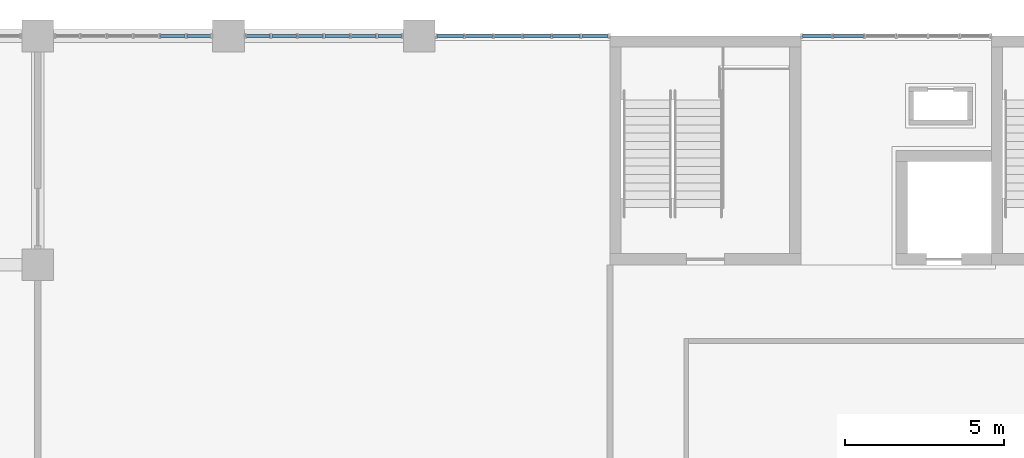
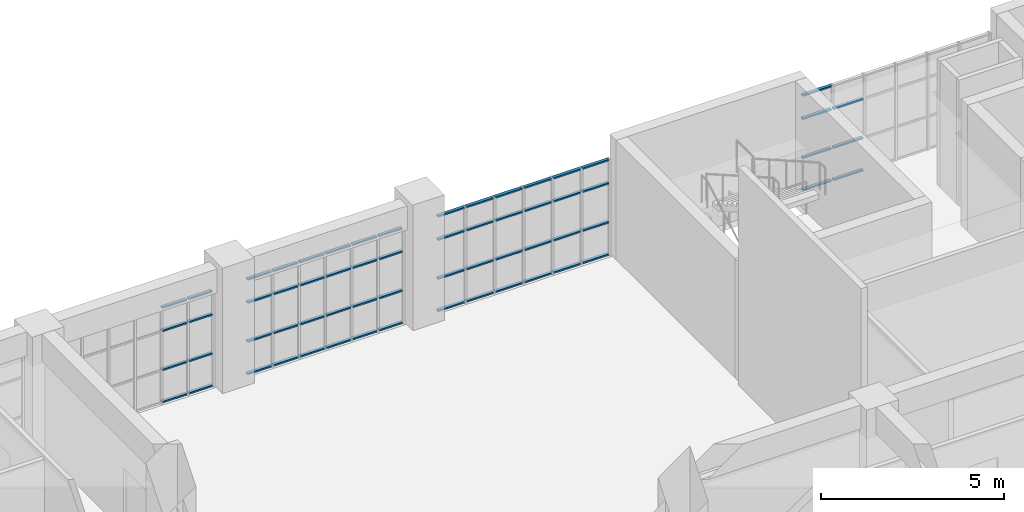
# One storey, part 52 of 92: 63 members, 4 elements without a shape of their own.
"""IFC4 building model written with IfcOpenShell, lengths in metres."""

from ifc_helpers import new_model, si_unit, direction, frame, origin, origin_2d, place, context, subcontext, project, spatial, hollow_rectangle, extrude, material, material_profile, profile_set, type_object, element, aggregate, save


model = new_model("IFC4")

# Units and contexts
model_context = context("Model", 3, precision=1e-05, world=origin(), true_north=direction((0.0, 1.0)))
body_context = subcontext(model_context, "Body", "Model", "MODEL_VIEW")
ifc_project = project(units=[si_unit("LENGTHUNIT", "METRE"), si_unit("AREAUNIT", "SQUARE_METRE"), si_unit("VOLUMEUNIT", "CUBIC_METRE"), si_unit("PLANEANGLEUNIT", "RADIAN"), si_unit("MASSUNIT", "GRAM", prefix="KILO")], contexts=[model_context])

# Site, building, storey
site_placement = place(None, origin())
site = spatial("IfcSite", under=ifc_project, at=site_placement, CompositionType="ELEMENT")
building_placement = place(site_placement, origin())
building = spatial("IfcBuilding", under=site, at=building_placement, Name="Laocheng Heights Fire and Rescue Headquarters", CompositionType="ELEMENT")
storey_placement = place(building_placement, frame((0.0, 0.0, 12.60009765625)))
storey = spatial("IfcBuildingStorey", under=building, at=storey_placement, Name="L03", CompositionType="ELEMENT", Elevation=12.60009765625)

# Curtain wall, members
ifc_material_1 = material(Name="Dark anodised aluminium unitised curtain wall, low-e double glazing", Category="aluminium")
curtain_wall_type_1 = type_object("IfcCurtainWallType", Name="CW 5000 x 3200 HQ CONTROL ROOM FACE", PredefinedType="NOTDEFINED", material=ifc_material_1)
curtain_wall_1_placement = place(storey_placement, origin())
curtain_wall_1 = element("IfcCurtainWall", 1, at=curtain_wall_1_placement, inside=storey, type_object=curtain_wall_type_1, Name="X21-X HQ NORTH L03", PredefinedType="NOTDEFINED")
ifc_material_2 = material(Name="Dark anodised aluminium 6063-T5 extrusion", Category="aluminium")
ifc_material_profile = material_profile(ifc_material_2, hollow_rectangle(XDim=0.10009765625, YDim=0.050048828125, WallThickness=0.0029296875, at=origin_2d()), Name="AL TRANSOM 100x50x3 HQ CONTROL ROOM FACE")
ifc_profile_set = profile_set([ifc_material_profile], Name="Dark anodised aluminium 6063-T5 extrusion")
member_type = type_object("IfcMemberType", Name="AL TRANSOM 100x50x3 HQ CONTROL ROOM FACE", PredefinedType="USERDEFINED", material=ifc_profile_set)
member_1_placement = place(storey_placement, frame((51.86328125, 72.0, 0.02490234375), z_axis=(1.0, 0.0, 0.0), x_axis=(0.0, 1.0, 0.0)))
member_1 = element("IfcMember", 2, at=member_1_placement, type_object=member_type, Name="X21-X transom 5.1", ObjectType="TRANSOM", PredefinedType="USERDEFINED", context=body_context, shape_type="SweptSolid", body=[
    extrude(hollow_rectangle(XDim=0.10009765625, YDim=0.050048828125, WallThickness=0.0029296875, at=origin_2d()), origin(), (0.0, 0.0, 1.0), 0.7734375),
])
member_2_placement = place(storey_placement, frame((51.86328125, 72.0, 1.099853515625), z_axis=(1.0, 0.0, 0.0), x_axis=(0.0, 1.0, 0.0)))
member_2 = element("IfcMember", 3, at=member_2_placement, type_object=member_type, Name="X21-X transom 5.2", ObjectType="TRANSOM", PredefinedType="USERDEFINED", context=body_context, shape_type="SweptSolid", body=[
    extrude(hollow_rectangle(XDim=0.10009765625, YDim=0.050048828125, WallThickness=0.0029296875, at=origin_2d()), origin(), (0.0, 0.0, 1.0), 0.7734375),
])
member_3_placement = place(storey_placement, frame((51.86328125, 72.0, 2.39990234375), z_axis=(1.0, 0.0, 0.0), x_axis=(0.0, 1.0, 0.0)))
member_3 = element("IfcMember", 4, at=member_3_placement, type_object=member_type, Name="X21-X transom 5.3", ObjectType="TRANSOM", PredefinedType="USERDEFINED", context=body_context, shape_type="SweptSolid", body=[
    extrude(hollow_rectangle(XDim=0.10009765625, YDim=0.050048828125, WallThickness=0.0029296875, at=origin_2d()), origin(), (0.0, 0.0, 1.0), 0.7734375),
])
member_4_placement = place(storey_placement, frame((51.86328125, 72.0, 3.1748046875), z_axis=(1.0, 0.0, 0.0), x_axis=(0.0, 1.0, 0.0)))
member_4 = element("IfcMember", 5, at=member_4_placement, type_object=member_type, Name="X21-X transom 5.4", ObjectType="TRANSOM", PredefinedType="USERDEFINED", context=body_context, shape_type="SweptSolid", body=[
    extrude(hollow_rectangle(XDim=0.10009765625, YDim=0.050048828125, WallThickness=0.0029296875, at=origin_2d()), origin(), (0.0, 0.0, 1.0), 0.7734375),
])
member_5_placement = place(storey_placement, frame((52.69677734375, 72.0, 0.02490234375), z_axis=(1.0, 0.0, 0.0), x_axis=(0.0, 1.0, 0.0)))
member_5 = element("IfcMember", 6, at=member_5_placement, type_object=member_type, Name="X21-X transom 6.1", ObjectType="TRANSOM", PredefinedType="USERDEFINED", context=body_context, shape_type="SweptSolid", body=[
    extrude(hollow_rectangle(XDim=0.10009765625, YDim=0.050048828125, WallThickness=0.0029296875, at=origin_2d()), origin(), (0.0, 0.0, 1.0), 0.7431640625),
])
member_6_placement = place(storey_placement, frame((52.69677734375, 72.0, 1.099853515625), z_axis=(1.0, 0.0, 0.0), x_axis=(0.0, 1.0, 0.0)))
member_6 = element("IfcMember", 7, at=member_6_placement, type_object=member_type, Name="X21-X transom 6.2", ObjectType="TRANSOM", PredefinedType="USERDEFINED", context=body_context, shape_type="SweptSolid", body=[
    extrude(hollow_rectangle(XDim=0.10009765625, YDim=0.050048828125, WallThickness=0.0029296875, at=origin_2d()), origin(), (0.0, 0.0, 1.0), 0.7431640625),
])
member_7_placement = place(storey_placement, frame((52.69677734375, 72.0, 2.39990234375), z_axis=(1.0, 0.0, 0.0), x_axis=(0.0, 1.0, 0.0)))
member_7 = element("IfcMember", 8, at=member_7_placement, type_object=member_type, Name="X21-X transom 6.3", ObjectType="TRANSOM", PredefinedType="USERDEFINED", context=body_context, shape_type="SweptSolid", body=[
    extrude(hollow_rectangle(XDim=0.10009765625, YDim=0.050048828125, WallThickness=0.0029296875, at=origin_2d()), origin(), (0.0, 0.0, 1.0), 0.7431640625),
])
member_8_placement = place(storey_placement, frame((52.69677734375, 72.0, 3.1748046875), z_axis=(1.0, 0.0, 0.0), x_axis=(0.0, 1.0, 0.0)))
member_8 = element("IfcMember", 9, at=member_8_placement, type_object=member_type, Name="X21-X transom 6.4", ObjectType="TRANSOM", PredefinedType="USERDEFINED", context=body_context, shape_type="SweptSolid", body=[
    extrude(hollow_rectangle(XDim=0.10009765625, YDim=0.050048828125, WallThickness=0.0029296875, at=origin_2d()), origin(), (0.0, 0.0, 1.0), 0.7431640625),
])
aggregate(curtain_wall_1, [member_1, member_2, member_3, member_4, member_5, member_6, member_7, member_8])

curtain_wall_2_placement = place(storey_placement, origin())
curtain_wall_2 = element("IfcCurtainWall", 10, at=curtain_wall_2_placement, inside=storey, type_object=curtain_wall_type_1, Name="X21-X HQ NORTH L03", PredefinedType="NOTDEFINED")
member_9_placement = place(storey_placement, frame((54.56005859375, 72.0, 0.02490234375), z_axis=(1.0, 0.0, 0.0), x_axis=(0.0, 1.0, 0.0)))
member_9 = element("IfcMember", 11, at=member_9_placement, type_object=member_type, Name="X21-X transom 1.1", ObjectType="TRANSOM", PredefinedType="USERDEFINED", context=body_context, shape_type="SweptSolid", body=[
    extrude(hollow_rectangle(XDim=0.10009765625, YDim=0.050048828125, WallThickness=0.0029296875, at=origin_2d()), origin(), (0.0, 0.0, 1.0), 0.7431640625),
])
member_10_placement = place(storey_placement, frame((54.56005859375, 72.0, 1.099853515625), z_axis=(1.0, 0.0, 0.0), x_axis=(0.0, 1.0, 0.0)))
member_10 = element("IfcMember", 12, at=member_10_placement, type_object=member_type, Name="X21-X transom 1.2", ObjectType="TRANSOM", PredefinedType="USERDEFINED", context=body_context, shape_type="SweptSolid", body=[
    extrude(hollow_rectangle(XDim=0.10009765625, YDim=0.050048828125, WallThickness=0.0029296875, at=origin_2d()), origin(), (0.0, 0.0, 1.0), 0.7431640625),
])
member_11_placement = place(storey_placement, frame((54.56005859375, 72.0, 2.39990234375), z_axis=(1.0, 0.0, 0.0), x_axis=(0.0, 1.0, 0.0)))
member_11 = element("IfcMember", 13, at=member_11_placement, type_object=member_type, Name="X21-X transom 1.3", ObjectType="TRANSOM", PredefinedType="USERDEFINED", context=body_context, shape_type="SweptSolid", body=[
    extrude(hollow_rectangle(XDim=0.10009765625, YDim=0.050048828125, WallThickness=0.0029296875, at=origin_2d()), origin(), (0.0, 0.0, 1.0), 0.7431640625),
])
member_12_placement = place(storey_placement, frame((54.56005859375, 72.0, 3.1748046875), z_axis=(1.0, 0.0, 0.0), x_axis=(0.0, 1.0, 0.0)))
member_12 = element("IfcMember", 14, at=member_12_placement, type_object=member_type, Name="X21-X transom 1.4", ObjectType="TRANSOM", PredefinedType="USERDEFINED", context=body_context, shape_type="SweptSolid", body=[
    extrude(hollow_rectangle(XDim=0.10009765625, YDim=0.050048828125, WallThickness=0.0029296875, at=origin_2d()), origin(), (0.0, 0.0, 1.0), 0.7431640625),
])
member_13_placement = place(storey_placement, frame((55.36328125, 72.0, 0.02490234375), z_axis=(1.0, 0.0, 0.0), x_axis=(0.0, 1.0, 0.0)))
member_13 = element("IfcMember", 15, at=member_13_placement, type_object=member_type, Name="X21-X transom 2.1", ObjectType="TRANSOM", PredefinedType="USERDEFINED", context=body_context, shape_type="SweptSolid", body=[
    extrude(hollow_rectangle(XDim=0.10009765625, YDim=0.050048828125, WallThickness=0.0029296875, at=origin_2d()), origin(), (0.0, 0.0, 1.0), 0.7734375),
])
member_14_placement = place(storey_placement, frame((55.36328125, 72.0, 1.099853515625), z_axis=(1.0, 0.0, 0.0), x_axis=(0.0, 1.0, 0.0)))
member_14 = element("IfcMember", 16, at=member_14_placement, type_object=member_type, Name="X21-X transom 2.2", ObjectType="TRANSOM", PredefinedType="USERDEFINED", context=body_context, shape_type="SweptSolid", body=[
    extrude(hollow_rectangle(XDim=0.10009765625, YDim=0.050048828125, WallThickness=0.0029296875, at=origin_2d()), origin(), (0.0, 0.0, 1.0), 0.7734375),
])
member_15_placement = place(storey_placement, frame((55.36328125, 72.0, 2.39990234375), z_axis=(1.0, 0.0, 0.0), x_axis=(0.0, 1.0, 0.0)))
member_15 = element("IfcMember", 17, at=member_15_placement, type_object=member_type, Name="X21-X transom 2.3", ObjectType="TRANSOM", PredefinedType="USERDEFINED", context=body_context, shape_type="SweptSolid", body=[
    extrude(hollow_rectangle(XDim=0.10009765625, YDim=0.050048828125, WallThickness=0.0029296875, at=origin_2d()), origin(), (0.0, 0.0, 1.0), 0.7734375),
])
member_16_placement = place(storey_placement, frame((55.36328125, 72.0, 3.1748046875), z_axis=(1.0, 0.0, 0.0), x_axis=(0.0, 1.0, 0.0)))
member_16 = element("IfcMember", 18, at=member_16_placement, type_object=member_type, Name="X21-X transom 2.4", ObjectType="TRANSOM", PredefinedType="USERDEFINED", context=body_context, shape_type="SweptSolid", body=[
    extrude(hollow_rectangle(XDim=0.10009765625, YDim=0.050048828125, WallThickness=0.0029296875, at=origin_2d()), origin(), (0.0, 0.0, 1.0), 0.7734375),
])
member_17_placement = place(storey_placement, frame((56.19677734375, 72.0, 0.02490234375), z_axis=(1.0, 0.0, 0.0), x_axis=(0.0, 1.0, 0.0)))
member_17 = element("IfcMember", 19, at=member_17_placement, type_object=member_type, Name="X21-X transom 3.1", ObjectType="TRANSOM", PredefinedType="USERDEFINED", context=body_context, shape_type="SweptSolid", body=[
    extrude(hollow_rectangle(XDim=0.10009765625, YDim=0.050048828125, WallThickness=0.0029296875, at=origin_2d()), origin(), (0.0, 0.0, 1.0), 0.773193359375),
])
member_18_placement = place(storey_placement, frame((56.19677734375, 72.0, 1.099853515625), z_axis=(1.0, 0.0, 0.0), x_axis=(0.0, 1.0, 0.0)))
member_18 = element("IfcMember", 20, at=member_18_placement, type_object=member_type, Name="X21-X transom 3.2", ObjectType="TRANSOM", PredefinedType="USERDEFINED", context=body_context, shape_type="SweptSolid", body=[
    extrude(hollow_rectangle(XDim=0.10009765625, YDim=0.050048828125, WallThickness=0.0029296875, at=origin_2d()), origin(), (0.0, 0.0, 1.0), 0.773193359375),
])
member_19_placement = place(storey_placement, frame((56.19677734375, 72.0, 2.39990234375), z_axis=(1.0, 0.0, 0.0), x_axis=(0.0, 1.0, 0.0)))
member_19 = element("IfcMember", 21, at=member_19_placement, type_object=member_type, Name="X21-X transom 3.3", ObjectType="TRANSOM", PredefinedType="USERDEFINED", context=body_context, shape_type="SweptSolid", body=[
    extrude(hollow_rectangle(XDim=0.10009765625, YDim=0.050048828125, WallThickness=0.0029296875, at=origin_2d()), origin(), (0.0, 0.0, 1.0), 0.773193359375),
])
member_20_placement = place(storey_placement, frame((56.19677734375, 72.0, 3.1748046875), z_axis=(1.0, 0.0, 0.0), x_axis=(0.0, 1.0, 0.0)))
member_20 = element("IfcMember", 22, at=member_20_placement, type_object=member_type, Name="X21-X transom 3.4", ObjectType="TRANSOM", PredefinedType="USERDEFINED", context=body_context, shape_type="SweptSolid", body=[
    extrude(hollow_rectangle(XDim=0.10009765625, YDim=0.050048828125, WallThickness=0.0029296875, at=origin_2d()), origin(), (0.0, 0.0, 1.0), 0.773193359375),
])
member_21_placement = place(storey_placement, frame((57.030029296875, 72.0, 0.02490234375), z_axis=(1.0, 0.0, 0.0), x_axis=(0.0, 1.0, 0.0)))
member_21 = element("IfcMember", 23, at=member_21_placement, type_object=member_type, Name="X21-X transom 4.1", ObjectType="TRANSOM", PredefinedType="USERDEFINED", context=body_context, shape_type="SweptSolid", body=[
    extrude(hollow_rectangle(XDim=0.10009765625, YDim=0.050048828125, WallThickness=0.0029296875, at=origin_2d()), origin(), (0.0, 0.0, 1.0), 0.773193359375),
])
member_22_placement = place(storey_placement, frame((57.030029296875, 72.0, 1.099853515625), z_axis=(1.0, 0.0, 0.0), x_axis=(0.0, 1.0, 0.0)))
member_22 = element("IfcMember", 24, at=member_22_placement, type_object=member_type, Name="X21-X transom 4.2", ObjectType="TRANSOM", PredefinedType="USERDEFINED", context=body_context, shape_type="SweptSolid", body=[
    extrude(hollow_rectangle(XDim=0.10009765625, YDim=0.050048828125, WallThickness=0.0029296875, at=origin_2d()), origin(), (0.0, 0.0, 1.0), 0.773193359375),
])
member_23_placement = place(storey_placement, frame((57.030029296875, 72.0, 2.39990234375), z_axis=(1.0, 0.0, 0.0), x_axis=(0.0, 1.0, 0.0)))
member_23 = element("IfcMember", 25, at=member_23_placement, type_object=member_type, Name="X21-X transom 4.3", ObjectType="TRANSOM", PredefinedType="USERDEFINED", context=body_context, shape_type="SweptSolid", body=[
    extrude(hollow_rectangle(XDim=0.10009765625, YDim=0.050048828125, WallThickness=0.0029296875, at=origin_2d()), origin(), (0.0, 0.0, 1.0), 0.773193359375),
])
member_24_placement = place(storey_placement, frame((57.030029296875, 72.0, 3.1748046875), z_axis=(1.0, 0.0, 0.0), x_axis=(0.0, 1.0, 0.0)))
member_24 = element("IfcMember", 26, at=member_24_placement, type_object=member_type, Name="X21-X transom 4.4", ObjectType="TRANSOM", PredefinedType="USERDEFINED", context=body_context, shape_type="SweptSolid", body=[
    extrude(hollow_rectangle(XDim=0.10009765625, YDim=0.050048828125, WallThickness=0.0029296875, at=origin_2d()), origin(), (0.0, 0.0, 1.0), 0.773193359375),
])
member_25_placement = place(storey_placement, frame((57.86328125, 72.0, 0.02490234375), z_axis=(1.0, 0.0, 0.0), x_axis=(0.0, 1.0, 0.0)))
member_25 = element("IfcMember", 27, at=member_25_placement, type_object=member_type, Name="X21-X transom 5.1", ObjectType="TRANSOM", PredefinedType="USERDEFINED", context=body_context, shape_type="SweptSolid", body=[
    extrude(hollow_rectangle(XDim=0.10009765625, YDim=0.050048828125, WallThickness=0.0029296875, at=origin_2d()), origin(), (0.0, 0.0, 1.0), 0.7734375),
])
member_26_placement = place(storey_placement, frame((57.86328125, 72.0, 1.099853515625), z_axis=(1.0, 0.0, 0.0), x_axis=(0.0, 1.0, 0.0)))
member_26 = element("IfcMember", 28, at=member_26_placement, type_object=member_type, Name="X21-X transom 5.2", ObjectType="TRANSOM", PredefinedType="USERDEFINED", context=body_context, shape_type="SweptSolid", body=[
    extrude(hollow_rectangle(XDim=0.10009765625, YDim=0.050048828125, WallThickness=0.0029296875, at=origin_2d()), origin(), (0.0, 0.0, 1.0), 0.7734375),
])
member_27_placement = place(storey_placement, frame((57.86328125, 72.0, 2.39990234375), z_axis=(1.0, 0.0, 0.0), x_axis=(0.0, 1.0, 0.0)))
member_27 = element("IfcMember", 29, at=member_27_placement, type_object=member_type, Name="X21-X transom 5.3", ObjectType="TRANSOM", PredefinedType="USERDEFINED", context=body_context, shape_type="SweptSolid", body=[
    extrude(hollow_rectangle(XDim=0.10009765625, YDim=0.050048828125, WallThickness=0.0029296875, at=origin_2d()), origin(), (0.0, 0.0, 1.0), 0.7734375),
])
member_28_placement = place(storey_placement, frame((57.86328125, 72.0, 3.1748046875), z_axis=(1.0, 0.0, 0.0), x_axis=(0.0, 1.0, 0.0)))
member_28 = element("IfcMember", 30, at=member_28_placement, type_object=member_type, Name="X21-X transom 5.4", ObjectType="TRANSOM", PredefinedType="USERDEFINED", context=body_context, shape_type="SweptSolid", body=[
    extrude(hollow_rectangle(XDim=0.10009765625, YDim=0.050048828125, WallThickness=0.0029296875, at=origin_2d()), origin(), (0.0, 0.0, 1.0), 0.7734375),
])
member_29_placement = place(storey_placement, frame((58.69677734375, 72.0, 0.02490234375), z_axis=(1.0, 0.0, 0.0), x_axis=(0.0, 1.0, 0.0)))
member_29 = element("IfcMember", 31, at=member_29_placement, type_object=member_type, Name="X21-X transom 6.1", ObjectType="TRANSOM", PredefinedType="USERDEFINED", context=body_context, shape_type="SweptSolid", body=[
    extrude(hollow_rectangle(XDim=0.10009765625, YDim=0.050048828125, WallThickness=0.0029296875, at=origin_2d()), origin(), (0.0, 0.0, 1.0), 0.7431640625),
])
member_30_placement = place(storey_placement, frame((58.69677734375, 72.0, 1.099853515625), z_axis=(1.0, 0.0, 0.0), x_axis=(0.0, 1.0, 0.0)))
member_30 = element("IfcMember", 32, at=member_30_placement, type_object=member_type, Name="X21-X transom 6.2", ObjectType="TRANSOM", PredefinedType="USERDEFINED", context=body_context, shape_type="SweptSolid", body=[
    extrude(hollow_rectangle(XDim=0.10009765625, YDim=0.050048828125, WallThickness=0.0029296875, at=origin_2d()), origin(), (0.0, 0.0, 1.0), 0.7431640625),
])
member_31_placement = place(storey_placement, frame((58.69677734375, 72.0, 2.39990234375), z_axis=(1.0, 0.0, 0.0), x_axis=(0.0, 1.0, 0.0)))
member_31 = element("IfcMember", 33, at=member_31_placement, type_object=member_type, Name="X21-X transom 6.3", ObjectType="TRANSOM", PredefinedType="USERDEFINED", context=body_context, shape_type="SweptSolid", body=[
    extrude(hollow_rectangle(XDim=0.10009765625, YDim=0.050048828125, WallThickness=0.0029296875, at=origin_2d()), origin(), (0.0, 0.0, 1.0), 0.7431640625),
])
member_32_placement = place(storey_placement, frame((58.69677734375, 72.0, 3.1748046875), z_axis=(1.0, 0.0, 0.0), x_axis=(0.0, 1.0, 0.0)))
member_32 = element("IfcMember", 34, at=member_32_placement, type_object=member_type, Name="X21-X transom 6.4", ObjectType="TRANSOM", PredefinedType="USERDEFINED", context=body_context, shape_type="SweptSolid", body=[
    extrude(hollow_rectangle(XDim=0.10009765625, YDim=0.050048828125, WallThickness=0.0029296875, at=origin_2d()), origin(), (0.0, 0.0, 1.0), 0.7431640625),
])
aggregate(curtain_wall_2, [member_9, member_10, member_11, member_12, member_13, member_14, member_15, member_16, member_17, member_18, member_19, member_20, member_21, member_22, member_23, member_24, member_25, member_26, member_27, member_28, member_29, member_30, member_31, member_32])

ifc_material_3 = material(Name="Dark anodised aluminium unitised curtain wall, low-e double glazing", Category="aluminium")
curtain_wall_type_2 = type_object("IfcCurtainWallType", Name="CW 5500 x 3200 HQ CONTROL ROOM FACE", PredefinedType="NOTDEFINED", material=ifc_material_3)
curtain_wall_3_placement = place(storey_placement, origin())
curtain_wall_3 = element("IfcCurtainWall", 35, at=curtain_wall_3_placement, inside=storey, type_object=curtain_wall_type_2, Name="X22-X HQ NORTH L03", PredefinedType="NOTDEFINED")
member_33_placement = place(storey_placement, frame((60.56005859375, 72.0, 0.02490234375), z_axis=(1.0, 0.0, 0.0), x_axis=(0.0, 1.0, 0.0)))
member_33 = element("IfcMember", 36, at=member_33_placement, type_object=member_type, Name="X22-X transom 1.1", ObjectType="TRANSOM", PredefinedType="USERDEFINED", context=body_context, shape_type="SweptSolid", body=[
    extrude(hollow_rectangle(XDim=0.10009765625, YDim=0.050048828125, WallThickness=0.0029296875, at=origin_2d()), origin(), (0.0, 0.0, 1.0), 0.82666015625),
])
member_34_placement = place(storey_placement, frame((60.56005859375, 72.0, 1.099853515625), z_axis=(1.0, 0.0, 0.0), x_axis=(0.0, 1.0, 0.0)))
member_34 = element("IfcMember", 37, at=member_34_placement, type_object=member_type, Name="X22-X transom 1.2", ObjectType="TRANSOM", PredefinedType="USERDEFINED", context=body_context, shape_type="SweptSolid", body=[
    extrude(hollow_rectangle(XDim=0.10009765625, YDim=0.050048828125, WallThickness=0.0029296875, at=origin_2d()), origin(), (0.0, 0.0, 1.0), 0.82666015625),
])
member_35_placement = place(storey_placement, frame((60.56005859375, 72.0, 2.39990234375), z_axis=(1.0, 0.0, 0.0), x_axis=(0.0, 1.0, 0.0)))
member_35 = element("IfcMember", 38, at=member_35_placement, type_object=member_type, Name="X22-X transom 1.3", ObjectType="TRANSOM", PredefinedType="USERDEFINED", context=body_context, shape_type="SweptSolid", body=[
    extrude(hollow_rectangle(XDim=0.10009765625, YDim=0.050048828125, WallThickness=0.0029296875, at=origin_2d()), origin(), (0.0, 0.0, 1.0), 0.82666015625),
])
member_36_placement = place(storey_placement, frame((60.56005859375, 72.0, 3.1748046875), z_axis=(1.0, 0.0, 0.0), x_axis=(0.0, 1.0, 0.0)))
member_36 = element("IfcMember", 39, at=member_36_placement, type_object=member_type, Name="X22-X transom 1.4", ObjectType="TRANSOM", PredefinedType="USERDEFINED", context=body_context, shape_type="SweptSolid", body=[
    extrude(hollow_rectangle(XDim=0.10009765625, YDim=0.050048828125, WallThickness=0.0029296875, at=origin_2d()), origin(), (0.0, 0.0, 1.0), 0.82666015625),
])
member_37_placement = place(storey_placement, frame((61.44677734375, 72.0, 0.02490234375), z_axis=(1.0, 0.0, 0.0), x_axis=(0.0, 1.0, 0.0)))
member_37 = element("IfcMember", 40, at=member_37_placement, type_object=member_type, Name="X22-X transom 2.1", ObjectType="TRANSOM", PredefinedType="USERDEFINED", context=body_context, shape_type="SweptSolid", body=[
    extrude(hollow_rectangle(XDim=0.10009765625, YDim=0.050048828125, WallThickness=0.0029296875, at=origin_2d()), origin(), (0.0, 0.0, 1.0), 0.8564453125),
])
member_38_placement = place(storey_placement, frame((61.44677734375, 72.0, 1.099853515625), z_axis=(1.0, 0.0, 0.0), x_axis=(0.0, 1.0, 0.0)))
member_38 = element("IfcMember", 41, at=member_38_placement, type_object=member_type, Name="X22-X transom 2.2", ObjectType="TRANSOM", PredefinedType="USERDEFINED", context=body_context, shape_type="SweptSolid", body=[
    extrude(hollow_rectangle(XDim=0.10009765625, YDim=0.050048828125, WallThickness=0.0029296875, at=origin_2d()), origin(), (0.0, 0.0, 1.0), 0.8564453125),
])
member_39_placement = place(storey_placement, frame((61.44677734375, 72.0, 2.39990234375), z_axis=(1.0, 0.0, 0.0), x_axis=(0.0, 1.0, 0.0)))
member_39 = element("IfcMember", 42, at=member_39_placement, type_object=member_type, Name="X22-X transom 2.3", ObjectType="TRANSOM", PredefinedType="USERDEFINED", context=body_context, shape_type="SweptSolid", body=[
    extrude(hollow_rectangle(XDim=0.10009765625, YDim=0.050048828125, WallThickness=0.0029296875, at=origin_2d()), origin(), (0.0, 0.0, 1.0), 0.8564453125),
])
member_40_placement = place(storey_placement, frame((61.44677734375, 72.0, 3.1748046875), z_axis=(1.0, 0.0, 0.0), x_axis=(0.0, 1.0, 0.0)))
member_40 = element("IfcMember", 43, at=member_40_placement, type_object=member_type, Name="X22-X transom 2.4", ObjectType="TRANSOM", PredefinedType="USERDEFINED", context=body_context, shape_type="SweptSolid", body=[
    extrude(hollow_rectangle(XDim=0.10009765625, YDim=0.050048828125, WallThickness=0.0029296875, at=origin_2d()), origin(), (0.0, 0.0, 1.0), 0.8564453125),
])
member_41_placement = place(storey_placement, frame((62.36328125, 72.0, 0.02490234375), z_axis=(1.0, 0.0, 0.0), x_axis=(0.0, 1.0, 0.0)))
member_41 = element("IfcMember", 44, at=member_41_placement, type_object=member_type, Name="X22-X transom 3.1", ObjectType="TRANSOM", PredefinedType="USERDEFINED", context=body_context, shape_type="SweptSolid", body=[
    extrude(hollow_rectangle(XDim=0.10009765625, YDim=0.050048828125, WallThickness=0.0029296875, at=origin_2d()), origin(), (0.0, 0.0, 1.0), 0.856689453125),
])
member_42_placement = place(storey_placement, frame((62.36328125, 72.0, 1.099853515625), z_axis=(1.0, 0.0, 0.0), x_axis=(0.0, 1.0, 0.0)))
member_42 = element("IfcMember", 45, at=member_42_placement, type_object=member_type, Name="X22-X transom 3.2", ObjectType="TRANSOM", PredefinedType="USERDEFINED", context=body_context, shape_type="SweptSolid", body=[
    extrude(hollow_rectangle(XDim=0.10009765625, YDim=0.050048828125, WallThickness=0.0029296875, at=origin_2d()), origin(), (0.0, 0.0, 1.0), 0.856689453125),
])
member_43_placement = place(storey_placement, frame((62.36328125, 72.0, 2.39990234375), z_axis=(1.0, 0.0, 0.0), x_axis=(0.0, 1.0, 0.0)))
member_43 = element("IfcMember", 46, at=member_43_placement, type_object=member_type, Name="X22-X transom 3.3", ObjectType="TRANSOM", PredefinedType="USERDEFINED", context=body_context, shape_type="SweptSolid", body=[
    extrude(hollow_rectangle(XDim=0.10009765625, YDim=0.050048828125, WallThickness=0.0029296875, at=origin_2d()), origin(), (0.0, 0.0, 1.0), 0.856689453125),
])
member_44_placement = place(storey_placement, frame((62.36328125, 72.0, 3.1748046875), z_axis=(1.0, 0.0, 0.0), x_axis=(0.0, 1.0, 0.0)))
member_44 = element("IfcMember", 47, at=member_44_placement, type_object=member_type, Name="X22-X transom 3.4", ObjectType="TRANSOM", PredefinedType="USERDEFINED", context=body_context, shape_type="SweptSolid", body=[
    extrude(hollow_rectangle(XDim=0.10009765625, YDim=0.050048828125, WallThickness=0.0029296875, at=origin_2d()), origin(), (0.0, 0.0, 1.0), 0.856689453125),
])
member_45_placement = place(storey_placement, frame((63.280029296875, 72.0, 0.02490234375), z_axis=(1.0, 0.0, 0.0), x_axis=(0.0, 1.0, 0.0)))
member_45 = element("IfcMember", 48, at=member_45_placement, type_object=member_type, Name="X22-X transom 4.1", ObjectType="TRANSOM", PredefinedType="USERDEFINED", context=body_context, shape_type="SweptSolid", body=[
    extrude(hollow_rectangle(XDim=0.10009765625, YDim=0.050048828125, WallThickness=0.0029296875, at=origin_2d()), origin(), (0.0, 0.0, 1.0), 0.856689453125),
])
member_46_placement = place(storey_placement, frame((63.280029296875, 72.0, 1.099853515625), z_axis=(1.0, 0.0, 0.0), x_axis=(0.0, 1.0, 0.0)))
member_46 = element("IfcMember", 49, at=member_46_placement, type_object=member_type, Name="X22-X transom 4.2", ObjectType="TRANSOM", PredefinedType="USERDEFINED", context=body_context, shape_type="SweptSolid", body=[
    extrude(hollow_rectangle(XDim=0.10009765625, YDim=0.050048828125, WallThickness=0.0029296875, at=origin_2d()), origin(), (0.0, 0.0, 1.0), 0.856689453125),
])
member_47_placement = place(storey_placement, frame((63.280029296875, 72.0, 2.39990234375), z_axis=(1.0, 0.0, 0.0), x_axis=(0.0, 1.0, 0.0)))
member_47 = element("IfcMember", 50, at=member_47_placement, type_object=member_type, Name="X22-X transom 4.3", ObjectType="TRANSOM", PredefinedType="USERDEFINED", context=body_context, shape_type="SweptSolid", body=[
    extrude(hollow_rectangle(XDim=0.10009765625, YDim=0.050048828125, WallThickness=0.0029296875, at=origin_2d()), origin(), (0.0, 0.0, 1.0), 0.856689453125),
])
member_48_placement = place(storey_placement, frame((63.280029296875, 72.0, 3.1748046875), z_axis=(1.0, 0.0, 0.0), x_axis=(0.0, 1.0, 0.0)))
member_48 = element("IfcMember", 51, at=member_48_placement, type_object=member_type, Name="X22-X transom 4.4", ObjectType="TRANSOM", PredefinedType="USERDEFINED", context=body_context, shape_type="SweptSolid", body=[
    extrude(hollow_rectangle(XDim=0.10009765625, YDim=0.050048828125, WallThickness=0.0029296875, at=origin_2d()), origin(), (0.0, 0.0, 1.0), 0.856689453125),
])
member_49_placement = place(storey_placement, frame((64.19677734375, 72.0, 0.02490234375), z_axis=(1.0, 0.0, 0.0), x_axis=(0.0, 1.0, 0.0)))
member_49 = element("IfcMember", 52, at=member_49_placement, type_object=member_type, Name="X22-X transom 5.1", ObjectType="TRANSOM", PredefinedType="USERDEFINED", context=body_context, shape_type="SweptSolid", body=[
    extrude(hollow_rectangle(XDim=0.10009765625, YDim=0.050048828125, WallThickness=0.0029296875, at=origin_2d()), origin(), (0.0, 0.0, 1.0), 0.8564453125),
])
member_50_placement = place(storey_placement, frame((64.19677734375, 72.0, 1.099853515625), z_axis=(1.0, 0.0, 0.0), x_axis=(0.0, 1.0, 0.0)))
member_50 = element("IfcMember", 53, at=member_50_placement, type_object=member_type, Name="X22-X transom 5.2", ObjectType="TRANSOM", PredefinedType="USERDEFINED", context=body_context, shape_type="SweptSolid", body=[
    extrude(hollow_rectangle(XDim=0.10009765625, YDim=0.050048828125, WallThickness=0.0029296875, at=origin_2d()), origin(), (0.0, 0.0, 1.0), 0.8564453125),
])
member_51_placement = place(storey_placement, frame((64.19677734375, 72.0, 2.39990234375), z_axis=(1.0, 0.0, 0.0), x_axis=(0.0, 1.0, 0.0)))
member_51 = element("IfcMember", 54, at=member_51_placement, type_object=member_type, Name="X22-X transom 5.3", ObjectType="TRANSOM", PredefinedType="USERDEFINED", context=body_context, shape_type="SweptSolid", body=[
    extrude(hollow_rectangle(XDim=0.10009765625, YDim=0.050048828125, WallThickness=0.0029296875, at=origin_2d()), origin(), (0.0, 0.0, 1.0), 0.8564453125),
])
member_52_placement = place(storey_placement, frame((64.19677734375, 72.0, 3.1748046875), z_axis=(1.0, 0.0, 0.0), x_axis=(0.0, 1.0, 0.0)))
member_52 = element("IfcMember", 55, at=member_52_placement, type_object=member_type, Name="X22-X transom 5.4", ObjectType="TRANSOM", PredefinedType="USERDEFINED", context=body_context, shape_type="SweptSolid", body=[
    extrude(hollow_rectangle(XDim=0.10009765625, YDim=0.050048828125, WallThickness=0.0029296875, at=origin_2d()), origin(), (0.0, 0.0, 1.0), 0.8564453125),
])
member_53_placement = place(storey_placement, frame((65.11328125, 72.0, 0.02490234375), z_axis=(1.0, 0.0, 0.0), x_axis=(0.0, 1.0, 0.0)))
member_53 = element("IfcMember", 56, at=member_53_placement, type_object=member_type, Name="X22-X transom 6.1", ObjectType="TRANSOM", PredefinedType="USERDEFINED", context=body_context, shape_type="SweptSolid", body=[
    extrude(hollow_rectangle(XDim=0.10009765625, YDim=0.050048828125, WallThickness=0.0029296875, at=origin_2d()), origin(), (0.0, 0.0, 1.0), 0.82666015625),
])
member_54_placement = place(storey_placement, frame((65.11328125, 72.0, 1.099853515625), z_axis=(1.0, 0.0, 0.0), x_axis=(0.0, 1.0, 0.0)))
member_54 = element("IfcMember", 57, at=member_54_placement, type_object=member_type, Name="X22-X transom 6.2", ObjectType="TRANSOM", PredefinedType="USERDEFINED", context=body_context, shape_type="SweptSolid", body=[
    extrude(hollow_rectangle(XDim=0.10009765625, YDim=0.050048828125, WallThickness=0.0029296875, at=origin_2d()), origin(), (0.0, 0.0, 1.0), 0.82666015625),
])
member_55_placement = place(storey_placement, frame((65.11328125, 72.0, 2.39990234375), z_axis=(1.0, 0.0, 0.0), x_axis=(0.0, 1.0, 0.0)))
member_55 = element("IfcMember", 58, at=member_55_placement, type_object=member_type, Name="X22-X transom 6.3", ObjectType="TRANSOM", PredefinedType="USERDEFINED", context=body_context, shape_type="SweptSolid", body=[
    extrude(hollow_rectangle(XDim=0.10009765625, YDim=0.050048828125, WallThickness=0.0029296875, at=origin_2d()), origin(), (0.0, 0.0, 1.0), 0.82666015625),
])
member_56_placement = place(storey_placement, frame((65.11328125, 72.0, 3.1748046875), z_axis=(1.0, 0.0, 0.0), x_axis=(0.0, 1.0, 0.0)))
member_56 = element("IfcMember", 59, at=member_56_placement, type_object=member_type, Name="X22-X transom 6.4", ObjectType="TRANSOM", PredefinedType="USERDEFINED", context=body_context, shape_type="SweptSolid", body=[
    extrude(hollow_rectangle(XDim=0.10009765625, YDim=0.050048828125, WallThickness=0.0029296875, at=origin_2d()), origin(), (0.0, 0.0, 1.0), 0.82666015625),
])
aggregate(curtain_wall_3, [member_33, member_34, member_35, member_36, member_37, member_38, member_39, member_40, member_41, member_42, member_43, member_44, member_45, member_46, member_47, member_48, member_49, member_50, member_51, member_52, member_53, member_54, member_55, member_56])

ifc_material_4 = material(Name="Dark anodised aluminium unitised curtain wall, low-e double glazing", Category="aluminium")
curtain_wall_type_3 = type_object("IfcCurtainWallType", Name="CW 6000 x 3200 HQ CONTROL ROOM FACE", PredefinedType="NOTDEFINED", material=ifc_material_4)
curtain_wall_4_placement = place(storey_placement, origin())
curtain_wall_4 = element("IfcCurtainWall", 60, at=curtain_wall_4_placement, inside=storey, type_object=curtain_wall_type_3, Name="X23-X HQ NORTH L03", PredefinedType="NOTDEFINED")
member_57_placement = place(storey_placement, frame((72.06005859375, 72.0, 0.02490234375), z_axis=(1.0, 0.0, 0.0), x_axis=(0.0, 1.0, 0.0)))
member_57 = element("IfcMember", 61, at=member_57_placement, type_object=member_type, Name="X23-X transom 1.1", ObjectType="TRANSOM", PredefinedType="USERDEFINED", context=body_context, shape_type="SweptSolid", body=[
    extrude(hollow_rectangle(XDim=0.10009765625, YDim=0.050048828125, WallThickness=0.0029296875, at=origin_2d()), origin(), (0.0, 0.0, 1.0), 0.909912109375),
])
member_58_placement = place(storey_placement, frame((72.06005859375, 72.0, 1.099853515625), z_axis=(1.0, 0.0, 0.0), x_axis=(0.0, 1.0, 0.0)))
member_58 = element("IfcMember", 62, at=member_58_placement, type_object=member_type, Name="X23-X transom 1.2", ObjectType="TRANSOM", PredefinedType="USERDEFINED", context=body_context, shape_type="SweptSolid", body=[
    extrude(hollow_rectangle(XDim=0.10009765625, YDim=0.050048828125, WallThickness=0.0029296875, at=origin_2d()), origin(), (0.0, 0.0, 1.0), 0.909912109375),
])
member_59_placement = place(storey_placement, frame((72.06005859375, 72.0, 2.39990234375), z_axis=(1.0, 0.0, 0.0), x_axis=(0.0, 1.0, 0.0)))
member_59 = element("IfcMember", 63, at=member_59_placement, type_object=member_type, Name="X23-X transom 1.3", ObjectType="TRANSOM", PredefinedType="USERDEFINED", context=body_context, shape_type="SweptSolid", body=[
    extrude(hollow_rectangle(XDim=0.10009765625, YDim=0.050048828125, WallThickness=0.0029296875, at=origin_2d()), origin(), (0.0, 0.0, 1.0), 0.909912109375),
])
member_60_placement = place(storey_placement, frame((72.06005859375, 72.0, 3.1748046875), z_axis=(1.0, 0.0, 0.0), x_axis=(0.0, 1.0, 0.0)))
member_60 = element("IfcMember", 64, at=member_60_placement, type_object=member_type, Name="X23-X transom 1.4", ObjectType="TRANSOM", PredefinedType="USERDEFINED", context=body_context, shape_type="SweptSolid", body=[
    extrude(hollow_rectangle(XDim=0.10009765625, YDim=0.050048828125, WallThickness=0.0029296875, at=origin_2d()), origin(), (0.0, 0.0, 1.0), 0.909912109375),
])
member_61_placement = place(storey_placement, frame((73.030029296875, 72.0, 0.02490234375), z_axis=(1.0, 0.0, 0.0), x_axis=(0.0, 1.0, 0.0)))
member_61 = element("IfcMember", 65, at=member_61_placement, type_object=member_type, Name="X23-X transom 2.1", ObjectType="TRANSOM", PredefinedType="USERDEFINED", context=body_context, shape_type="SweptSolid", body=[
    extrude(hollow_rectangle(XDim=0.10009765625, YDim=0.050048828125, WallThickness=0.0029296875, at=origin_2d()), origin(), (0.0, 0.0, 1.0), 0.93994140625),
])
member_62_placement = place(storey_placement, frame((73.030029296875, 72.0, 1.099853515625), z_axis=(1.0, 0.0, 0.0), x_axis=(0.0, 1.0, 0.0)))
member_62 = element("IfcMember", 66, at=member_62_placement, type_object=member_type, Name="X23-X transom 2.2", ObjectType="TRANSOM", PredefinedType="USERDEFINED", context=body_context, shape_type="SweptSolid", body=[
    extrude(hollow_rectangle(XDim=0.10009765625, YDim=0.050048828125, WallThickness=0.0029296875, at=origin_2d()), origin(), (0.0, 0.0, 1.0), 0.93994140625),
])
member_63_placement = place(storey_placement, frame((73.030029296875, 72.0, 2.39990234375), z_axis=(1.0, 0.0, 0.0), x_axis=(0.0, 1.0, 0.0)))
member_63 = element("IfcMember", 67, at=member_63_placement, type_object=member_type, Name="X23-X transom 2.3", ObjectType="TRANSOM", PredefinedType="USERDEFINED", context=body_context, shape_type="SweptSolid", body=[
    extrude(hollow_rectangle(XDim=0.10009765625, YDim=0.050048828125, WallThickness=0.0029296875, at=origin_2d()), origin(), (0.0, 0.0, 1.0), 0.93994140625),
])
aggregate(curtain_wall_4, [member_57, member_58, member_59, member_60, member_61, member_62, member_63])

save(model, "model.ifc")
